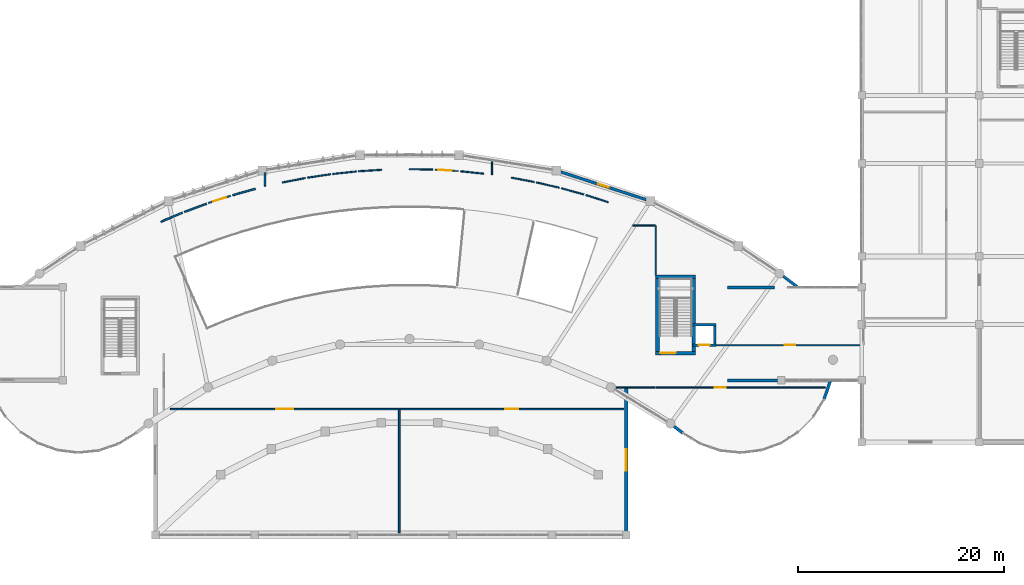
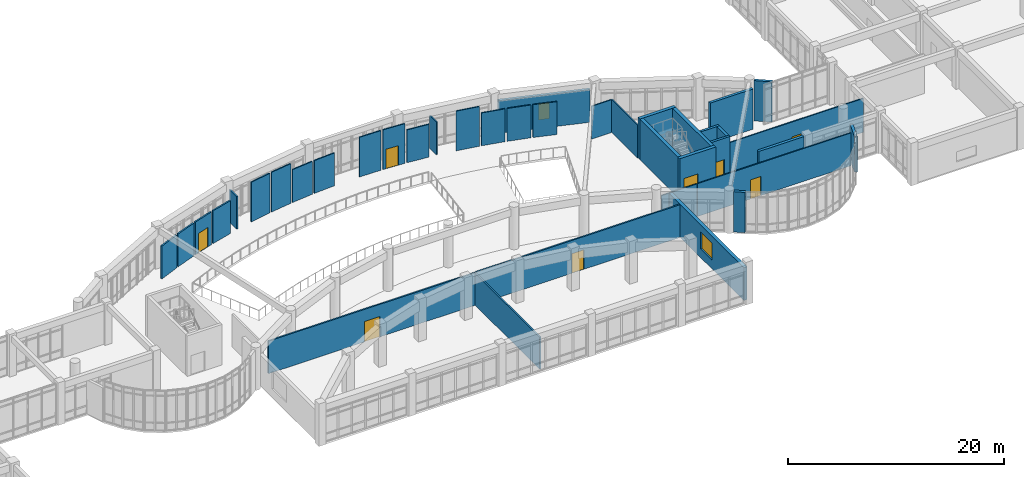
# One storey, part 51 of 68: 39 walls, 8 doors, 2 windows, 10 openings.
"""IFC4 building model written with IfcOpenShell, lengths in metres."""

from ifc_helpers import new_model, si_unit, direction, frame, frame_2d, origin, place, context, subcontext, project, spatial, rectangle, extrude, material, layer, layer_set, type_object, element, fill, save


model = new_model("IFC4")

# Units and contexts
model_context = context("Model", 3, precision=1e-05, world=origin(), true_north=direction((0.0, 1.0)))
body_context = subcontext(model_context, "Body", "Model", "MODEL_VIEW")
ifc_project = project(units=[si_unit("LENGTHUNIT", "METRE"), si_unit("AREAUNIT", "SQUARE_METRE"), si_unit("VOLUMEUNIT", "CUBIC_METRE"), si_unit("PLANEANGLEUNIT", "RADIAN"), si_unit("MASSUNIT", "GRAM", prefix="KILO")], contexts=[model_context])

# Site, building, storey
site_placement = place(None, origin())
site = spatial("IfcSite", under=ifc_project, at=site_placement, CompositionType="ELEMENT")
building_placement = place(site_placement, origin())
building = spatial("IfcBuilding", under=site, at=building_placement, Name="Miralva Faculty of Natural Sciences", CompositionType="ELEMENT")
storey_placement = place(building_placement, frame((0.0, 0.0, 5.39990234375)))
storey = spatial("IfcBuildingStorey", under=building, at=storey_placement, Name="L01", CompositionType="ELEMENT", Elevation=5.39990234375)

# Wall, opening, door
ifc_material_1 = material(Name="Concrete C50/60", Category="concrete")
ifc_layer_1 = layer(ifc_material_1, 0.35009765625, Name="WL-CW02")
ifc_layer_set_1 = layer_set([ifc_layer_1], Name="Concrete C50/60")
wall_type_1 = type_object("IfcWallType", Name="WL-CW02", PredefinedType="SHEAR", material=ifc_layer_set_1)
wall_1_placement = place(storey_placement, frame((113.85009765625, 20.625, 0.0), z_axis=(0.0, 0.0, 1.0), x_axis=(1.0, 0.0, 0.0)))
wall_1 = element("IfcWall", 1, at=wall_1_placement, inside=storey, type_object=wall_type_1, Name="Core C3 shear wall south L01", PredefinedType="SHEAR", context=body_context, shape_type="SweptSolid", body=[
    extrude(rectangle(XDim=3.849853515625, YDim=0.35009765625, at=frame_2d((1.9248046875, 0.0))), origin(), (0.0, 0.0, 1.0), 4.580078125),
])
opening_1_placement = place(wall_1_placement, frame((0.449951171875, 0.0, 0.0)))
opening_1 = element("IfcOpeningElement", 2, at=opening_1_placement, cuts=wall_1, Name="Opening D-11", PredefinedType="OPENING", context=body_context, shape_type="SweptSolid", body=[
    extrude(rectangle(XDim=1.5, YDim=2.199951171875, at=frame_2d((0.75, 1.10009765625))), frame((0.0, 0.18505859375, 0.0), z_axis=(0.0, -1.0, 0.0), x_axis=(1.0, 0.0, 0.0)), (0.0, 0.0, 1.0), 0.3701171875),
])
ifc_material_2 = material(Name="Galvanised steel", Category="steel")
door_type_1 = type_object("IfcDoorType", Name="DR-DI11", OperationType="DOUBLE_DOOR_SINGLE_SWING", PredefinedType="DOOR", material=ifc_material_2)
door_1_placement = place(opening_1_placement, frame((1.5, 0.0, 0.0), z_axis=(0.0, 0.0, 1.0), x_axis=(-1.0, 0.0, 0.0)))
door_1 = element("IfcDoor", 3, at=door_1_placement, inside=storey, type_object=door_type_1, Name="Protected exit stair door Core C3 L01", OperationType="DOUBLE_DOOR_SINGLE_SWING", OverallHeight=2.199951171875, OverallWidth=1.5, PredefinedType="DOOR", context=body_context, shape_type="SweptSolid", body=[
    extrude(rectangle(XDim=1.5, YDim=2.199951171875, at=frame_2d((0.75, 1.10009765625))), frame((0.0, 0.02490234375, 0.0), z_axis=(0.0, -1.0, 0.0), x_axis=(1.0, 0.0, 0.0)), (0.0, 0.0, 1.0), 0.050048828125),
])
fill(opening_1, door_1)

# Walls
wall_2_placement = place(storey_placement, frame((113.85009765625, 28.02490234375, 0.0), z_axis=(0.0, 0.0, 1.0), x_axis=(1.0, 0.0, 0.0)))
element("IfcWall", 4, at=wall_2_placement, inside=storey, type_object=wall_type_1, Name="Core C3 shear wall north L01", PredefinedType="SHEAR", context=body_context, shape_type="SweptSolid", body=[
    extrude(rectangle(XDim=3.849853515625, YDim=0.35009765625, at=frame_2d((1.9248046875, 0.0))), origin(), (0.0, 0.0, 1.0), 4.580078125),
])
for number, where, z_axis, x_axis, name in (
    (5, (114.02490234375, 20.800048828125, 0.0), (0.0, 0.0, 1.0), (0.0, 1.0, 0.0), "Core C3 shear wall west L01"),
    (6, (117.52490234375, 20.800048828125, 0.0), (0.0, 0.0, 1.0), (0.0, 1.0, 0.0), "Core C3 shear wall east L01"),
):
    element("IfcWall", number, at=place(storey_placement, frame(where, z_axis=z_axis, x_axis=x_axis)), inside=storey, type_object=wall_type_1, Name=name, PredefinedType="SHEAR", context=body_context, shape_type="SweptSolid", body=[
        extrude(rectangle(XDim=7.050048828125, YDim=0.35009765625, at=frame_2d((3.52490234375, 0.0))), origin(), (0.0, 0.0, 1.0), 4.580078125),
    ])

# Wall, opening, door
ifc_material_3 = material(Name="Concrete C40/50", Category="concrete")
ifc_layer_2 = layer(ifc_material_3, 0.25, Name="WL-CW04")
ifc_layer_set_2 = layer_set([ifc_layer_2], Name="Concrete C40/50")
wall_type_2 = type_object("IfcWallType", Name="WL-CW04", PredefinedType="SHEAR", material=ifc_layer_set_2)
wall_3_placement = place(storey_placement, frame((117.405029296875, 21.405029296875, 0.0), z_axis=(0.0, 0.0, 1.0), x_axis=(1.0, 0.0, 0.0)))
wall_3 = element("IfcWall", 7, at=wall_3_placement, inside=storey, type_object=wall_type_2, Name="Lift L-05 hoistway front wall L01", PredefinedType="SHEAR", context=body_context, shape_type="SweptSolid", body=[
    extrude(rectangle(XDim=2.2900390625, YDim=0.25, at=frame_2d((1.14501953125, 0.0))), origin(), (0.0, 0.0, 1.0), 4.56005859375),
])
opening_2_placement = place(wall_3_placement, frame((0.6201171875, 0.0, 0.0)))
opening_2 = element("IfcOpeningElement", 8, at=opening_2_placement, cuts=wall_3, Name="Opening LD-03", PredefinedType="OPENING", context=body_context, shape_type="SweptSolid", body=[
    extrude(rectangle(XDim=1.050048828125, YDim=2.14990234375, at=frame_2d((0.52490234375, 1.074951171875))), frame((0.0, 0.135009765625, 0.0), z_axis=(0.0, -1.0, 0.0), x_axis=(1.0, 0.0, 0.0)), (0.0, 0.0, 1.0), 0.27001953125),
])
door_type_2 = type_object("IfcDoorType", Name="DR-LD03", OperationType="SLIDING_TO_RIGHT", PredefinedType="DOOR", material=ifc_material_2)
door_2_placement = place(opening_2_placement, frame((1.050048828125, 0.0, 0.0), z_axis=(0.0, 0.0, 1.0), x_axis=(-1.0, 0.0, 0.0)))
door_2 = element("IfcDoor", 9, at=door_2_placement, inside=storey, type_object=door_type_2, Name="Lift L-05 sliding landing door L01", OperationType="SLIDING_TO_RIGHT", OverallHeight=2.14990234375, OverallWidth=1.050048828125, PredefinedType="DOOR", context=body_context, shape_type="SweptSolid", body=[
    extrude(rectangle(XDim=1.050048828125, YDim=2.14990234375, at=frame_2d((0.52490234375, 1.074951171875))), frame((0.0, 0.02490234375, 0.0), z_axis=(0.0, -1.0, 0.0), x_axis=(1.0, 0.0, 0.0)), (0.0, 0.0, 1.0), 0.050048828125),
])
fill(opening_2, door_2)

# Walls
wall_4_placement = place(storey_placement, frame((117.405029296875, 23.39501953125, 0.0), z_axis=(0.0, 0.0, 1.0), x_axis=(1.0, 0.0, 0.0)))
element("IfcWall", 10, at=wall_4_placement, inside=storey, type_object=wall_type_2, Name="Lift L-05 hoistway rear wall L01", PredefinedType="SHEAR", context=body_context, shape_type="SweptSolid", body=[
    extrude(rectangle(XDim=2.2900390625, YDim=0.25, at=frame_2d((1.14501953125, 0.0))), origin(), (0.0, 0.0, 1.0), 4.56005859375),
])
wall_5_placement = place(storey_placement, frame((119.570068359375, 21.530029296875, 0.0), z_axis=(0.0, 0.0, 1.0), x_axis=(0.0, 1.0, 0.0)))
element("IfcWall", 11, at=wall_5_placement, inside=storey, type_object=wall_type_2, Name="Lift L-05 hoistway E wall L01", PredefinedType="SHEAR", context=body_context, shape_type="SweptSolid", body=[
    extrude(rectangle(XDim=1.739990234375, YDim=0.25, at=frame_2d((0.8701171875, 0.0))), origin(), (0.0, 0.0, 1.0), 4.56005859375),
])
ifc_material_4 = material(Name="Gypsum plasterboard")
ifc_layer_3 = layer(ifc_material_4, 0.159912109375, Name="WL-PT03")
ifc_layer_set_3 = layer_set([ifc_layer_3], Name="Gypsum plasterboard")
wall_type_3 = type_object("IfcWallType", Name="WL-PT03", PredefinedType="PARTITIONING", material=ifc_layer_set_3)
wall_6_placement = place(storey_placement, frame((89.0, 3.22998046875, 0.0), z_axis=(0.0, 0.0, 1.0), x_axis=(0.0, 1.0, 0.0)))
element("IfcWall", 12, at=wall_6_placement, inside=storey, type_object=wall_type_3, Name="Interior partition PT-03 L01-173", PredefinedType="PARTITIONING", context=body_context, shape_type="SweptSolid", body=[
    extrude(rectangle(XDim=11.93994140625, YDim=0.159912109375, at=frame_2d((5.969970703125, 0.0))), origin(), (0.0, 0.0, 1.0), 3.60498046875),
])

# Wall, opening, door
wall_7_placement = place(storey_placement, frame((66.837646484375, 15.199951171875, 0.0), z_axis=(0.0, 0.0, 1.0), x_axis=(1.0, 0.0, 0.0)))
wall_7 = element("IfcWall", 13, at=wall_7_placement, inside=storey, type_object=wall_type_3, Name="Interior partition PT-03 L01-174", PredefinedType="PARTITIONING", context=body_context, shape_type="SweptSolid", body=[
    extrude(rectangle(XDim=22.13232421875, YDim=0.159912109375, at=frame_2d((11.066162109375, 0.0))), origin(), (0.0, 0.0, 1.0), 3.675048828125),
])
opening_3_placement = place(wall_7_placement, frame((10.2412109375, 0.0, 0.0)))
opening_3 = element("IfcOpeningElement", 14, at=opening_3_placement, cuts=wall_7, Name="Opening D-22", PredefinedType="OPENING", context=body_context, shape_type="SweptSolid", body=[
    extrude(rectangle(XDim=1.64990234375, YDim=2.300048828125, at=frame_2d((0.824951171875, 1.14990234375))), frame((0.0, 0.08984375, 0.0), z_axis=(0.0, -1.0, 0.0), x_axis=(1.0, 0.0, 0.0)), (0.0, 0.0, 1.0), 0.179931640625),
])
ifc_material_5 = material(Name="Acoustic mineral-fibre board")
door_type_3 = type_object("IfcDoorType", Name="DR-DI22", OperationType="DOUBLE_DOOR_SINGLE_SWING", PredefinedType="DOOR", material=ifc_material_5)
door_3_placement = place(opening_3_placement, origin())
door_3 = element("IfcDoor", 15, at=door_3_placement, inside=storey, type_object=door_type_3, Name="Interior door D-22 L01-66", OperationType="DOUBLE_DOOR_SINGLE_SWING", OverallHeight=2.300048828125, OverallWidth=1.64990234375, PredefinedType="DOOR", context=body_context, shape_type="SweptSolid", body=[
    extrude(rectangle(XDim=1.64990234375, YDim=2.300048828125, at=frame_2d((0.824951171875, 1.14990234375))), frame((0.0, 0.02490234375, 0.0), z_axis=(0.0, -1.0, 0.0), x_axis=(1.0, 0.0, 0.0)), (0.0, 0.0, 1.0), 0.050048828125),
])
fill(opening_3, door_3)

wall_8_placement = place(storey_placement, frame((89.030029296875, 15.199951171875, 0.0), z_axis=(0.0, 0.0, 1.0), x_axis=(1.0, 0.0, 0.0)))
wall_8 = element("IfcWall", 16, at=wall_8_placement, inside=storey, type_object=wall_type_3, Name="Interior partition PT-03 L01-175", PredefinedType="PARTITIONING", context=body_context, shape_type="SweptSolid", body=[
    extrude(rectangle(XDim=21.739990234375, YDim=0.159912109375, at=frame_2d((10.8701171875, 0.0))), origin(), (0.0, 0.0, 1.0), 3.705078125),
])
opening_4_placement = place(wall_8_placement, frame((10.2451171875, 0.0, 0.0)))
opening_4 = element("IfcOpeningElement", 17, at=opening_4_placement, cuts=wall_8, Name="Opening D-23", PredefinedType="OPENING", context=body_context, shape_type="SweptSolid", body=[
    extrude(rectangle(XDim=1.25, YDim=2.199951171875, at=frame_2d((0.625, 1.10009765625))), frame((0.0, 0.08984375, 0.0), z_axis=(0.0, -1.0, 0.0), x_axis=(1.0, 0.0, 0.0)), (0.0, 0.0, 1.0), 0.179931640625),
])
ifc_material_6 = material(Name="Anodised aluminium", Category="aluminium")
door_type_4 = type_object("IfcDoorType", Name="DR-DI23", OperationType="NOTDEFINED", PredefinedType="DOOR", material=ifc_material_6)
door_4_placement = place(opening_4_placement, origin())
door_4 = element("IfcDoor", 18, at=door_4_placement, inside=storey, type_object=door_type_4, Name="Interior door D-23 L01-67", OperationType="SINGLE_SWING_RIGHT", OverallHeight=2.199951171875, OverallWidth=1.25, PredefinedType="DOOR", context=body_context, shape_type="SweptSolid", body=[
    extrude(rectangle(XDim=1.25, YDim=2.199951171875, at=frame_2d((0.625, 1.10009765625))), frame((0.0, 0.02490234375, 0.0), z_axis=(0.0, -1.0, 0.0), x_axis=(1.0, 0.0, 0.0)), (0.0, 0.0, 1.0), 0.050048828125),
])
fill(opening_4, door_4)

# Walls
for number, where, z_axis, x_axis, name in (
    (19, (65.9169921875, 33.35205078125, 0.0), (0.0, 0.0, 1.0), (0.921787384168, 0.38769578072, 0.0), "Interior partition PT-03 L01-176"),
    (20, (68.203369140625, 34.30859375, 0.0), (0.0, 0.0, 1.0), (0.937158790468, 0.348903140497, 0.0), "Interior partition PT-03 L01-177"),
):
    element("IfcWall", number, at=place(storey_placement, frame(where, z_axis=z_axis, x_axis=x_axis)), inside=storey, type_object=wall_type_3, Name=name, PredefinedType="PARTITIONING", context=body_context, shape_type="SweptSolid", body=[
        extrude(rectangle(XDim=2.266357421875, YDim=0.159912109375, at=frame_2d((1.13330078125, 0.0))), origin(), (0.0, 0.0, 1.0), 3.705078125),
    ])

# Wall, opening, door
wall_9_placement = place(storey_placement, frame((70.52783203125, 35.169189453125, 0.0), z_axis=(0.0, 0.0, 1.0), x_axis=(0.950910506912, 0.309466004345, 0.0)))
wall_9 = element("IfcWall", 21, at=wall_9_placement, inside=storey, type_object=wall_type_3, Name="Interior partition PT-03 L01-178", PredefinedType="PARTITIONING", context=body_context, shape_type="SweptSolid", body=[
    extrude(rectangle(XDim=2.2666015625, YDim=0.159912109375, at=frame_2d((1.13330078125, 0.0))), origin(), (0.0, 0.0, 1.0), 3.705078125),
])
opening_5_placement = place(wall_9_placement, frame((0.483154296875, 0.0, 0.0)))
opening_5 = element("IfcOpeningElement", 22, at=opening_5_placement, cuts=wall_9, Name="Opening D-36", PredefinedType="OPENING", context=body_context, shape_type="SweptSolid", body=[
    extrude(rectangle(XDim=1.300048828125, YDim=2.199951171875, at=frame_2d((0.64990234375, 1.10009765625))), frame((0.0, 0.08984375, 0.0), z_axis=(0.0, -1.0, 0.0), x_axis=(1.0, 0.0, 0.0)), (0.0, 0.0, 1.0), 0.179931640625),
])
door_type_5 = type_object("IfcDoorType", Name="DR-DI36", OperationType="NOTDEFINED", PredefinedType="DOOR", material=ifc_material_6)
door_5_placement = place(opening_5_placement, origin())
door_5 = element("IfcDoor", 23, at=door_5_placement, inside=storey, type_object=door_type_5, Name="Interior door D-36 L01-68", OperationType="SINGLE_SWING_LEFT", OverallHeight=2.199951171875, OverallWidth=1.300048828125, PredefinedType="DOOR", context=body_context, shape_type="SweptSolid", body=[
    extrude(rectangle(XDim=1.300048828125, YDim=2.199951171875, at=frame_2d((0.64990234375, 1.10009765625))), frame((0.0, 0.02490234375, 0.0), z_axis=(0.0, -1.0, 0.0), x_axis=(1.0, 0.0, 0.0)), (0.0, 0.0, 1.0), 0.050048828125),
])
fill(opening_5, door_5)

# Walls
wall_10_placement = place(storey_placement, frame((72.8857421875, 35.931884765625, 0.0), z_axis=(0.0, 0.0, 1.0), x_axis=(0.962961782051, 0.269637917046, 0.0)))
element("IfcWall", 24, at=wall_10_placement, inside=storey, type_object=wall_type_3, Name="Interior partition PT-03 L01-179", PredefinedType="PARTITIONING", context=body_context, shape_type="SweptSolid", body=[
    extrude(rectangle(XDim=2.266357421875, YDim=0.159912109375, at=frame_2d((1.13330078125, 0.0))), origin(), (0.0, 0.0, 1.0), 3.705078125),
])
wall_11_placement = place(storey_placement, frame((76.0, 36.796875, 0.0), z_axis=(0.0, 0.0, 1.0), x_axis=(0.0, 1.0, 0.0)))
element("IfcWall", 25, at=wall_11_placement, inside=storey, type_object=wall_type_3, Name="Interior partition PT-03 L01-197", PredefinedType="PARTITIONING", context=body_context, shape_type="SweptSolid", body=[
    extrude(rectangle(XDim=1.31689453125, YDim=0.159912109375, at=frame_2d((0.658447265625, 0.0))), origin(), (0.0, 0.0, 1.0), 3.705078125),
])
ifc_layer_4 = layer(ifc_material_4, 0.125, Name="WL-PT05")
ifc_layer_set_4 = layer_set([ifc_layer_4], Name="Gypsum plasterboard")
wall_type_4 = type_object("IfcWallType", Name="WL-PT05", PredefinedType="PARTITIONING", material=ifc_layer_set_4)
for number, where, z_axis, x_axis, name in (
    (26, (77.6875, 37.15966796875, 0.0), (0.0, 0.0, 1.0), (0.982087808033, 0.188423823634, 0.0), "Interior partition PT-05 L01-180"),
    (27, (80.122314453125, 37.622314453125, 0.0), (0.0, 0.0, 1.0), (0.989080490429, 0.147376332742, 0.0), "Interior partition PT-05 L01-181"),
):
    element("IfcWall", number, at=place(storey_placement, frame(where, z_axis=z_axis, x_axis=x_axis)), inside=storey, type_object=wall_type_4, Name=name, PredefinedType="PARTITIONING", context=body_context, shape_type="SweptSolid", body=[
        extrude(rectangle(XDim=2.26611328125, YDim=0.125, at=frame_2d((1.133056640625, 0.0))), origin(), (0.0, 0.0, 1.0), 4.47998046875),
    ])
wall_12_placement = place(storey_placement, frame((82.57421875, 37.983154296875, 0.0), z_axis=(0.0, 0.0, 1.0), x_axis=(0.994366469197, 0.105996815696, 0.0)))
element("IfcWall", 28, at=wall_12_placement, inside=storey, type_object=wall_type_4, Name="Interior partition PT-05 L01-182", PredefinedType="PARTITIONING", context=body_context, shape_type="SweptSolid", body=[
    extrude(rectangle(XDim=2.266357421875, YDim=0.125, at=frame_2d((1.13330078125, 0.0))), origin(), (0.0, 0.0, 1.0), 3.705078125),
])
wall_13_placement = place(storey_placement, frame((85.039306640625, 38.2412109375, 0.0), z_axis=(0.0, 0.0, 1.0), x_axis=(0.997915696942, 0.064531091706, 0.0)))
element("IfcWall", 29, at=wall_13_placement, inside=storey, type_object=wall_type_4, Name="Interior partition PT-05 L01-183", PredefinedType="PARTITIONING", context=body_context, shape_type="SweptSolid", body=[
    extrude(rectangle(XDim=2.26611328125, YDim=0.125, at=frame_2d((1.133056640625, 0.0))), origin(), (0.0, 0.0, 1.0), 3.705078125),
])
wall_14_placement = place(storey_placement, frame((89.99072265625, 38.448486328125, 0.0), z_axis=(0.0, 0.0, 1.0), x_axis=(0.999822278173, -0.018852375679, 0.0)))
element("IfcWall", 30, at=wall_14_placement, inside=storey, type_object=wall_type_4, Name="Interior partition PT-05 L01-184", PredefinedType="PARTITIONING", context=body_context, shape_type="SweptSolid", body=[
    extrude(rectangle(XDim=2.266357421875, YDim=0.125, at=frame_2d((1.13330078125, 0.0))), origin(), (0.0, 0.0, 1.0), 4.47998046875),
])

# Wall, opening, door
wall_15_placement = place(storey_placement, frame((92.46875, 38.3974609375, 0.0), z_axis=(0.0, 0.0, 1.0), x_axis=(0.998159220571, -0.060647921561, 0.0)))
wall_15 = element("IfcWall", 31, at=wall_15_placement, inside=storey, type_object=wall_type_4, Name="Interior partition PT-05 L01-185", PredefinedType="PARTITIONING", context=body_context, shape_type="SweptSolid", body=[
    extrude(rectangle(XDim=2.266357421875, YDim=0.125, at=frame_2d((1.13330078125, 0.0))), origin(), (0.0, 0.0, 1.0), 4.47998046875),
])
opening_6_placement = place(wall_15_placement, frame((0.30322265625, 0.0, 0.0)))
opening_6 = element("IfcOpeningElement", 32, at=opening_6_placement, cuts=wall_15, Name="Opening D-36", PredefinedType="OPENING", context=body_context, shape_type="SweptSolid", body=[
    extrude(rectangle(XDim=1.300048828125, YDim=2.199951171875, at=frame_2d((0.64990234375, 1.10009765625))), frame((0.0, 0.072509765625, 0.0), z_axis=(0.0, -1.0, 0.0), x_axis=(1.0, 0.0, 0.0)), (0.0, 0.0, 1.0), 0.14501953125),
])
door_6_placement = place(opening_6_placement, origin())
door_6 = element("IfcDoor", 33, at=door_6_placement, inside=storey, type_object=door_type_5, Name="Interior door D-36 L01-70", OperationType="SINGLE_SWING_RIGHT", OverallHeight=2.199951171875, OverallWidth=1.300048828125, PredefinedType="DOOR", context=body_context, shape_type="SweptSolid", body=[
    extrude(rectangle(XDim=1.300048828125, YDim=2.199951171875, at=frame_2d((0.64990234375, 1.10009765625))), frame((0.0, 0.02490234375, 0.0), z_axis=(0.0, -1.0, 0.0), x_axis=(1.0, 0.0, 0.0)), (0.0, 0.0, 1.0), 0.050048828125),
])
fill(opening_6, door_6)

# Walls
wall_16_placement = place(storey_placement, frame((94.942138671875, 38.242919921875, 0.0), z_axis=(0.0, 0.0, 1.0), x_axis=(0.994772464136, -0.102116328749, 0.0)))
element("IfcWall", 34, at=wall_16_placement, inside=storey, type_object=wall_type_4, Name="Interior partition PT-05 L01-186", PredefinedType="PARTITIONING", context=body_context, shape_type="SweptSolid", body=[
    extrude(rectangle(XDim=2.2666015625, YDim=0.125, at=frame_2d((1.13330078125, 0.0))), origin(), (0.0, 0.0, 1.0), 3.705078125),
])
wall_17_placement = place(storey_placement, frame((99.859619140625, 37.62548828125, 0.0), z_axis=(0.0, 0.0, 1.0), x_axis=(0.982805045735, -0.184646262018, 0.0)))
element("IfcWall", 35, at=wall_17_placement, inside=storey, type_object=wall_type_4, Name="Interior partition PT-05 L01-187", PredefinedType="PARTITIONING", context=body_context, shape_type="SweptSolid", body=[
    extrude(rectangle(XDim=2.266357421875, YDim=0.125, at=frame_2d((1.13330078125, 0.0))), origin(), (0.0, 0.0, 1.0), 4.47998046875),
])
wall_18_placement = place(storey_placement, frame((102.294921875, 37.163330078125, 0.0), z_axis=(0.0, 0.0, 1.0), x_axis=(0.974269394544, -0.225386660775, 0.0)))
element("IfcWall", 36, at=wall_18_placement, inside=storey, type_object=wall_type_4, Name="Interior partition PT-05 L01-188", PredefinedType="PARTITIONING", context=body_context, shape_type="SweptSolid", body=[
    extrude(rectangle(XDim=2.26611328125, YDim=0.125, at=frame_2d((1.133056640625, 0.0))), origin(), (0.0, 0.0, 1.0), 3.705078125),
])
for number, where, z_axis, x_axis, name in (
    (37, (104.708251953125, 36.600341796875, 0.0), (0.0, 0.0, 1.0), (0.96403926476, -0.265759846481, 0.0), "Interior partition PT-05 L01-189"),
    (38, (107.0966796875, 35.937255859375, 0.0), (0.0, 0.0, 1.0), (0.952084587877, -0.305834820659, 0.0), "Interior partition PT-05 L01-190"),
):
    element("IfcWall", number, at=place(storey_placement, frame(where, z_axis=z_axis, x_axis=x_axis)), inside=storey, type_object=wall_type_4, Name=name, PredefinedType="PARTITIONING", context=body_context, shape_type="SweptSolid", body=[
        extrude(rectangle(XDim=2.266357421875, YDim=0.125, at=frame_2d((1.13330078125, 0.0))), origin(), (0.0, 0.0, 1.0), 3.705078125),
    ])
wall_19_placement = place(storey_placement, frame((111.626708984375, 33.0, 0.0), z_axis=(0.0, 0.0, 1.0), x_axis=(1.0, 0.0, 0.0)))
element("IfcWall", 39, at=wall_19_placement, inside=storey, type_object=wall_type_4, Name="Interior partition PT-05 L01-191", PredefinedType="PARTITIONING", context=body_context, shape_type="SweptSolid", body=[
    extrude(rectangle(XDim=2.193359375, YDim=0.125, at=frame_2d((1.0966796875, 0.0))), origin(), (0.0, 0.0, 1.0), 3.705078125),
])
wall_20_placement = place(storey_placement, frame((113.85009765625, 28.151611328125, 0.0), z_axis=(0.0, 0.0, 1.0), x_axis=(0.0, 1.0, 0.0)))
element("IfcWall", 40, at=wall_20_placement, inside=storey, type_object=wall_type_4, Name="Interior partition PT-05 L01-192", PredefinedType="PARTITIONING", context=body_context, shape_type="SweptSolid", body=[
    extrude(rectangle(XDim=4.818359375, YDim=0.125, at=frame_2d((2.4091796875, 0.0))), origin(), (0.0, 0.0, 1.0), 3.705078125),
])

# Wall, opening, door
wall_21_placement = place(storey_placement, frame((119.72998046875, 21.39990234375, 0.0), z_axis=(0.0, 0.0, 1.0), x_axis=(1.0, 0.0, 0.0)))
wall_21 = element("IfcWall", 41, at=wall_21_placement, inside=storey, type_object=wall_type_4, Name="Interior partition PT-05 L01-193", PredefinedType="PARTITIONING", context=body_context, shape_type="SweptSolid", body=[
    extrude(rectangle(XDim=14.239990234375, YDim=0.125, at=frame_2d((7.1201171875, 0.0))), origin(), (0.0, 0.0, 1.0), 3.8251953125),
])
opening_7_placement = place(wall_21_placement, frame((6.6201171875, 0.0, 0.0)))
opening_7 = element("IfcOpeningElement", 42, at=opening_7_placement, cuts=wall_21, Name="Opening D-25", PredefinedType="OPENING", context=body_context, shape_type="SweptSolid", body=[
    extrude(rectangle(XDim=1.0, YDim=2.14990234375, at=frame_2d((0.5, 1.074951171875))), frame((0.0, 0.072509765625, 0.0), z_axis=(0.0, -1.0, 0.0), x_axis=(1.0, 0.0, 0.0)), (0.0, 0.0, 1.0), 0.14501953125),
])
door_type_6 = type_object("IfcDoorType", Name="DR-DI25", OperationType="NOTDEFINED", PredefinedType="DOOR", material=ifc_material_6)
door_7_placement = place(opening_7_placement, origin())
door_7 = element("IfcDoor", 43, at=door_7_placement, inside=storey, type_object=door_type_6, Name="Interior door D-25 L01-71", OperationType="SINGLE_SWING_LEFT", OverallHeight=2.14990234375, OverallWidth=1.0, PredefinedType="DOOR", context=body_context, shape_type="SweptSolid", body=[
    extrude(rectangle(XDim=1.0, YDim=2.14990234375, at=frame_2d((0.5, 1.074951171875))), frame((0.0, 0.02490234375, 0.0), z_axis=(0.0, -1.0, 0.0), x_axis=(1.0, 0.0, 0.0)), (0.0, 0.0, 1.0), 0.050048828125),
])
fill(opening_7, door_7)

wall_22_placement = place(storey_placement, frame((113.8798828125, 17.300048828125, 0.0), z_axis=(0.0, 0.0, 1.0), x_axis=(1.0, 0.0, 0.0)))
wall_22 = element("IfcWall", 44, at=wall_22_placement, inside=storey, type_object=wall_type_4, Name="Interior partition PT-05 L01-194", PredefinedType="PARTITIONING", context=body_context, shape_type="SweptSolid", body=[
    extrude(rectangle(XDim=16.408203125, YDim=0.125, at=frame_2d((8.2041015625, 0.0))), origin(), (0.0, 0.0, 1.0), 3.705078125),
])
opening_8_placement = place(wall_22_placement, frame((5.68408203125, 0.0, 0.0)))
opening_8 = element("IfcOpeningElement", 45, at=opening_8_placement, cuts=wall_22, Name="Opening D-32", PredefinedType="OPENING", context=body_context, shape_type="SweptSolid", body=[
    extrude(rectangle(XDim=1.080078125, YDim=2.14990234375, at=frame_2d((0.5400390625, 1.074951171875))), frame((0.0, 0.072509765625, 0.0), z_axis=(0.0, -1.0, 0.0), x_axis=(1.0, 0.0, 0.0)), (0.0, 0.0, 1.0), 0.14501953125),
])
door_type_7 = type_object("IfcDoorType", Name="DR-DI32", OperationType="NOTDEFINED", PredefinedType="DOOR", material=ifc_material_6)
door_8_placement = place(opening_8_placement, origin())
door_8 = element("IfcDoor", 46, at=door_8_placement, inside=storey, type_object=door_type_7, Name="Interior door D-32 L01-73", OperationType="SINGLE_SWING_LEFT", OverallHeight=2.14990234375, OverallWidth=1.080078125, PredefinedType="DOOR", context=body_context, shape_type="SweptSolid", body=[
    extrude(rectangle(XDim=1.080078125, YDim=2.14990234375, at=frame_2d((0.5400390625, 1.074951171875))), frame((0.0, 0.02490234375, 0.0), z_axis=(0.0, -1.0, 0.0), x_axis=(1.0, 0.0, 0.0)), (0.0, 0.0, 1.0), 0.050048828125),
])
fill(opening_8, door_8)

# Walls
wall_23_placement = place(storey_placement, frame((110.041015625, 17.300048828125, 0.0), z_axis=(0.0, 0.0, 1.0), x_axis=(1.0, 0.0, 0.0)))
element("IfcWall", 47, at=wall_23_placement, inside=storey, type_object=wall_type_4, Name="Interior partition PT-05 L01-195", PredefinedType="PARTITIONING", context=body_context, shape_type="SweptSolid", body=[
    extrude(rectangle(XDim=3.779052734375, YDim=0.125, at=frame_2d((1.8896484375, 0.0))), origin(), (0.0, 0.0, 1.0), 3.705078125),
])
wall_24_placement = place(storey_placement, frame((98.0, 37.929443359375, 0.0), z_axis=(0.0, 0.0, 1.0), x_axis=(0.0, 1.0, 0.0)))
element("IfcWall", 48, at=wall_24_placement, inside=storey, type_object=wall_type_4, Name="Interior partition PT-05 L01-198", PredefinedType="PARTITIONING", context=body_context, shape_type="SweptSolid", body=[
    extrude(rectangle(XDim=1.28076171875, YDim=0.125, at=frame_2d((0.640380859375, 0.0))), origin(), (0.0, 0.0, 1.0), 3.705078125),
])

# Wall, opening, window
ifc_material_7 = material(Name="Volcanic tuff architectural stone", Category="masonry")
ifc_layer_5 = layer(ifc_material_7, 0.360107421875, Name="WL-WT01")
ifc_layer_set_5 = layer_set([ifc_layer_5], Name="Volcanic tuff architectural stone")
wall_type_5 = type_object("IfcWallType", Name="WL-WT01", PredefinedType="SOLIDWALL", material=ifc_layer_set_5)
wall_25_placement = place(storey_placement, frame((111.0, 3.364990234375, 0.0), z_axis=(0.0, 0.0, 1.0), x_axis=(0.0, 1.0, 0.0)))
wall_25 = element("IfcWall", 49, at=wall_25_placement, inside=storey, type_object=wall_type_5, Name="Exterior wall L01-60", PredefinedType="SOLIDWALL", context=body_context, shape_type="SweptSolid", body=[
    extrude(rectangle(XDim=13.8349609375, YDim=0.360107421875, at=frame_2d((6.91748046875, 0.0))), origin(), (0.0, 0.0, 1.0), 3.705078125),
])
opening_9_placement = place(wall_25_placement, frame((5.867431640625, 0.0, 1.0)))
opening_9 = element("IfcOpeningElement", 50, at=opening_9_placement, cuts=wall_25, Name="Opening W-09", PredefinedType="OPENING", context=body_context, shape_type="SweptSolid", body=[
    extrude(rectangle(XDim=2.10009765625, YDim=1.89990234375, at=frame_2d((1.050048828125, 0.949951171875))), frame((0.0, 0.18994140625, 0.0), z_axis=(0.0, -1.0, 0.0), x_axis=(1.0, 0.0, 0.0)), (0.0, 0.0, 1.0), 0.380126953125),
])
ifc_material_8 = material(Name="Laminated solar-control glass", Category="glass")
window_type_1 = type_object("IfcWindowType", Name="WN-W09", PartitioningType="DOUBLE_PANEL_VERTICAL", PredefinedType="WINDOW", material=ifc_material_8)
window_1_placement = place(opening_9_placement, frame((2.10009765625, 0.0, 0.0), z_axis=(0.0, 0.0, 1.0), x_axis=(-1.0, 0.0, 0.0)))
window_1 = element("IfcWindow", 51, at=window_1_placement, inside=storey, type_object=window_type_1, Name="Window W-09 L01-9", OverallHeight=1.89990234375, OverallWidth=2.10009765625, PartitioningType="DOUBLE_PANEL_VERTICAL", PredefinedType="WINDOW", context=body_context, shape_type="SweptSolid", body=[
    extrude(rectangle(XDim=2.10009765625, YDim=1.89990234375, at=frame_2d((1.050048828125, 0.949951171875))), frame((0.0, 0.030029296875, 0.0), z_axis=(0.0, -1.0, 0.0), x_axis=(1.0, 0.0, 0.0)), (0.0, 0.0, 1.0), 0.06005859375),
])
fill(opening_9, window_1)

# Walls
ifc_material_9 = material(Name="Precast concrete C40/50", Category="concrete")
ifc_layer_6 = layer(ifc_material_9, 0.2900390625, Name="WL-WT03")
ifc_layer_set_6 = layer_set([ifc_layer_6], Name="Precast concrete C40/50")
wall_type_6 = type_object("IfcWallType", Name="WL-WT03", PredefinedType="SOLIDWALL", material=ifc_layer_set_6)
wall_26_placement = place(storey_placement, frame((115.6142578125, 13.531982421875, 0.0), z_axis=(0.0, 0.0, 1.0), x_axis=(0.798608971494, -0.601850239387, 0.0)))
element("IfcWall", 52, at=wall_26_placement, inside=storey, type_object=wall_type_6, Name="Exterior wall L01-25", PredefinedType="SOLIDWALL", context=body_context, shape_type="SweptSolid", body=[
    extrude(rectangle(XDim=1.07568359375, YDim=0.2900390625, at=frame_2d((0.537841796875, 0.0))), origin(), (0.0, 0.0, 1.0), 4.550048828125),
])
wall_27_placement = place(storey_placement, frame((130.16162109375, 16.152587890625, 0.0), z_axis=(0.0, 0.0, 1.0), x_axis=(0.320875386213, 0.947121421214, 0.0)))
element("IfcWall", 53, at=wall_27_placement, inside=storey, type_object=wall_type_6, Name="Exterior wall L01-30", PredefinedType="SOLIDWALL", context=body_context, shape_type="SweptSolid", body=[
    extrude(rectangle(XDim=2.015625, YDim=0.2900390625, at=frame_2d((1.0078125, 0.0))), origin(), (0.0, 0.0, 1.0), 4.03515625),
])
wall_28_placement = place(storey_placement, frame((120.800048828125, 18.0, 0.0), z_axis=(0.0, 0.0, 1.0), x_axis=(1.0, 0.0, 0.0)))
element("IfcWall", 54, at=wall_28_placement, inside=storey, type_object=wall_type_6, Name="Exterior wall L01-356", PredefinedType="SOLIDWALL", context=body_context, shape_type="SweptSolid", body=[
    extrude(rectangle(XDim=4.8349609375, YDim=0.2900390625, at=frame_2d((2.41748046875, 0.0))), origin(), (0.0, 0.0, 1.0), 4.550048828125),
])
wall_29_placement = place(storey_placement, frame((120.800048828125, 27.0, 0.0), z_axis=(0.0, 0.0, 1.0), x_axis=(1.0, 0.0, 0.0)))
element("IfcWall", 55, at=wall_29_placement, inside=storey, type_object=wall_type_6, Name="Exterior wall L01-358", PredefinedType="SOLIDWALL", context=body_context, shape_type="SweptSolid", body=[
    extrude(rectangle(XDim=4.579833984375, YDim=0.2900390625, at=frame_2d((2.2900390625, 0.0))), origin(), (0.0, 0.0, 1.0), 4.550048828125),
])

# Wall, opening, window
ifc_layer_7 = layer(ifc_material_7, 0.27001953125, Name="WL-WT04")
ifc_layer_set_7 = layer_set([ifc_layer_7], Name="Volcanic tuff architectural stone")
wall_type_7 = type_object("IfcWallType", Name="WL-WT04", PredefinedType="SOLIDWALL", material=ifc_layer_set_7)
wall_30_placement = place(storey_placement, frame((104.65380859375, 38.18017578125, 0.0), z_axis=(0.0, 0.0, 1.0), x_axis=(0.951060249583, -0.30900550426, 0.0)))
wall_30 = element("IfcWall", 56, at=wall_30_placement, inside=storey, type_object=wall_type_7, Name="Exterior wall L01-27", PredefinedType="SOLIDWALL", context=body_context, shape_type="SweptSolid", body=[
    extrude(rectangle(XDim=8.701904296875, YDim=0.27001953125, at=frame_2d((4.35107421875, 0.0))), origin(), (0.0, 0.0, 1.0), 3.705078125),
])
opening_10_placement = place(wall_30_placement, frame((3.825927734375, 0.0, 0.89990234375)))
opening_10 = element("IfcOpeningElement", 57, at=opening_10_placement, cuts=wall_30, Name="Opening W-02", PredefinedType="OPENING", context=body_context, shape_type="SweptSolid", body=[
    extrude(rectangle(XDim=1.050048828125, YDim=1.800048828125, at=frame_2d((0.52490234375, 0.89990234375))), frame((0.0, 0.14501953125, 0.0), z_axis=(0.0, -1.0, 0.0), x_axis=(1.0, 0.0, 0.0)), (0.0, 0.0, 1.0), 0.2900390625),
])
window_type_2 = type_object("IfcWindowType", Name="WN-W02", PartitioningType="SINGLE_PANEL", PredefinedType="WINDOW", material=ifc_material_8)
window_2_placement = place(opening_10_placement, origin())
window_2 = element("IfcWindow", 58, at=window_2_placement, inside=storey, type_object=window_type_2, Name="Window W-02 L01-2", OverallHeight=1.800048828125, OverallWidth=1.050048828125, PartitioningType="SINGLE_PANEL", PredefinedType="WINDOW", context=body_context, shape_type="SweptSolid", body=[
    extrude(rectangle(XDim=1.050048828125, YDim=1.800048828125, at=frame_2d((0.52490234375, 0.89990234375))), frame((0.0, 0.030029296875, 0.0), z_axis=(0.0, -1.0, 0.0), x_axis=(1.0, 0.0, 0.0)), (0.0, 0.0, 1.0), 0.06005859375),
])
fill(opening_10, window_2)

# Wall
wall_31_placement = place(storey_placement, frame((126.210205078125, 28.082275390625, 0.0), z_axis=(0.0, 0.0, 1.0), x_axis=(0.798641279354, -0.601807366947, 0.0)))
element("IfcWall", 59, at=wall_31_placement, inside=storey, type_object=wall_type_7, Name="Exterior wall L01-28", PredefinedType="SOLIDWALL", context=body_context, shape_type="SweptSolid", body=[
    extrude(rectangle(XDim=1.684326171875, YDim=0.27001953125, at=frame_2d((0.84228515625, 0.0))), origin(), (0.0, 0.0, 1.0), 4.550048828125),
])

save(model, "model.ifc")
